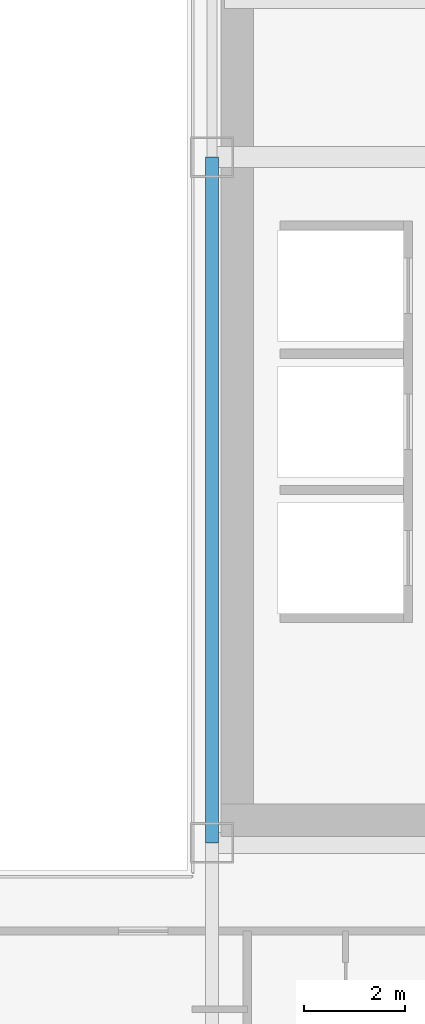
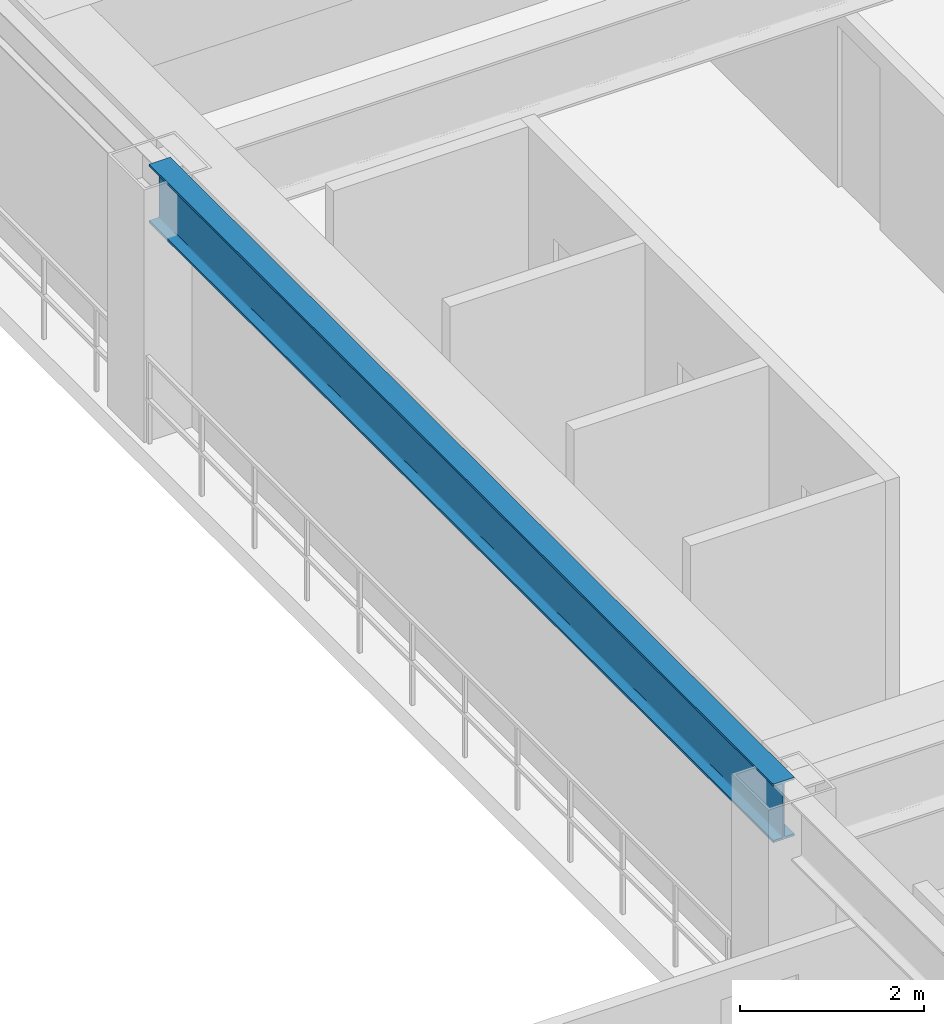
# One storey, part 12 of 34: 1 beam.
"""IFC4 building model written with IfcOpenShell, lengths in metres."""

from ifc_helpers import new_model, si_unit, direction, frame, origin, origin_2d, place, context, subcontext, project, spatial, i_section, extrude, source, transform, mapped, material, material_profile, profile_set, type_object, element, save


model = new_model("IFC4")

# Units and contexts
model_context = context("Model", 3, precision=1e-05, world=origin(), true_north=direction((0.0, 1.0)))
body_context = subcontext(model_context, "Body", "Model", "MODEL_VIEW")
ifc_project = project(units=[si_unit("LENGTHUNIT", "METRE"), si_unit("AREAUNIT", "SQUARE_METRE"), si_unit("VOLUMEUNIT", "CUBIC_METRE"), si_unit("PLANEANGLEUNIT", "RADIAN"), si_unit("MASSUNIT", "GRAM", prefix="KILO")], contexts=[model_context])

# Site, building, storey
site_placement = place(None, origin())
site = spatial("IfcSite", under=ifc_project, at=site_placement, CompositionType="ELEMENT")
building_placement = place(site_placement, origin())
building = spatial("IfcBuilding", under=site, at=building_placement, Name="Ocotamira Hotel", CompositionType="ELEMENT")
storey_placement = place(building_placement, frame((0.0, 0.0, 108.0)))
storey = spatial("IfcBuildingStorey", under=building, at=storey_placement, Name="L26", CompositionType="ELEMENT", Elevation=108.0)

# Beam
ifc_material = material(Name="Steel ASTM A992 Grade 50", Category="steel")
ifc_material_profile = material_profile(ifc_material, i_section(OverallWidth=0.26611328125, OverallDepth=0.779052734375, WebThickness=0.0166015625, FlangeThickness=0.030029296875, FilletRadius=0.01806640625, at=origin_2d()), Name="W30X148")
ifc_profile_set = profile_set([ifc_material_profile], Name="Steel ASTM A992 Grade 50")
beam_type = type_object("IfcBeamType", Name="BM-GIRD-W30X148", PredefinedType="BEAM", material=ifc_profile_set)
shared_shape = source(origin(), body_context, "Body", "SweptSolid", [
    extrude(i_section(OverallWidth=0.26611328125, OverallDepth=0.779052734375, WebThickness=0.0166015625, FlangeThickness=0.030029296875, FilletRadius=0.01806640625, at=origin_2d()), origin(), (0.0, 0.0, 1.0), 13.599853515625),
])
beam_placement = place(storey_placement, frame((40.5, 14.550048828125, 2.970458984375), z_axis=(0.0, 1.0, 0.0), x_axis=(-1.0, 0.0, 0.0)))
element("IfcBeam", 1, at=beam_placement, inside=storey, type_object=beam_type, Name="L26 Beam X40.5 Y14.55-28.15", PredefinedType="BEAM", context=body_context, shape_type="MappedRepresentation", body=[
    mapped(shared_shape, transform((0.0, 0.0, 0.0), scale=1.0)),
])

save(model, "model.ifc")
